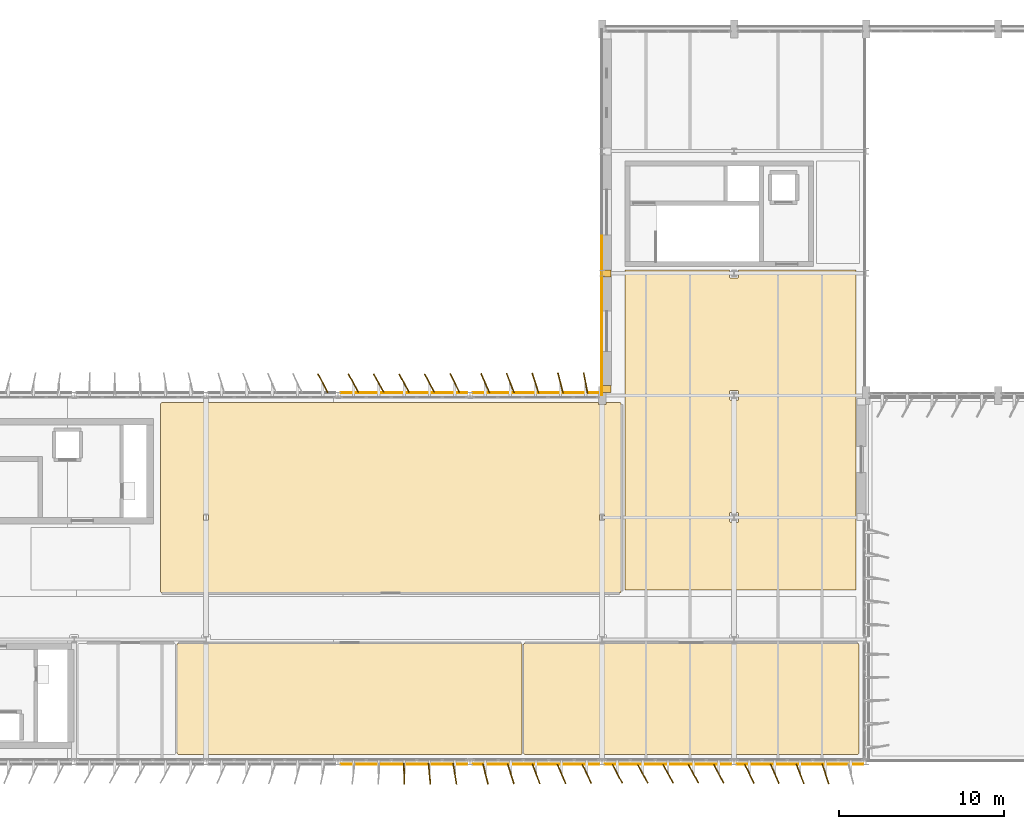
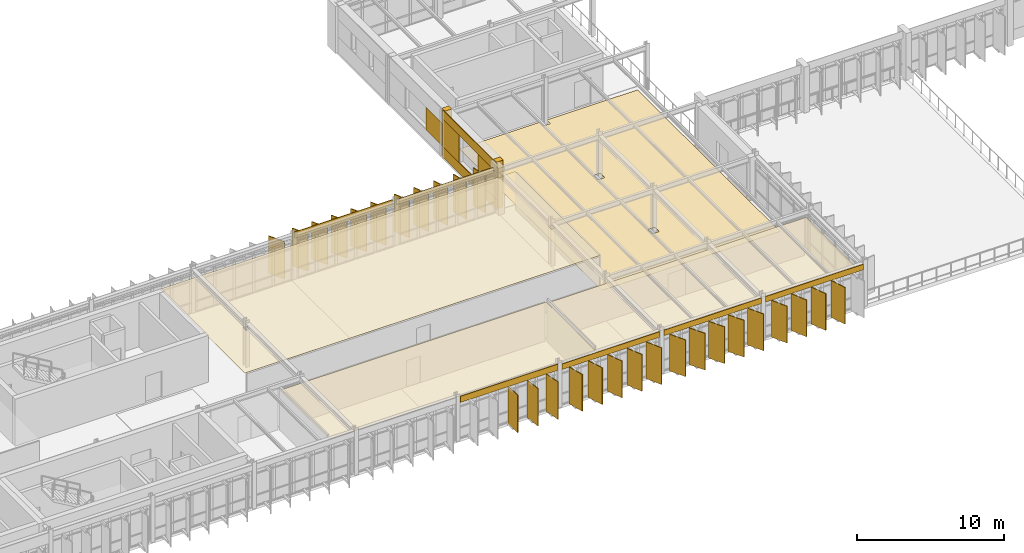
# One storey, part 43 of 45: 45 coverings.
"""IFC4 building model written with IfcOpenShell, lengths in metres."""

from ifc_helpers import new_model, si_unit, direction, frame, frame_2d, origin, origin_2d, place, context, subcontext, project, spatial, polyline, rectangle, outline, extrude, material, layer, layer_set, type_object, element, save


model = new_model("IFC4")

# Units and contexts
model_context = context("Model", 3, precision=1e-05, world=origin(), true_north=direction((0.0, 1.0)))
body_context = subcontext(model_context, "Body", "Model", "MODEL_VIEW")
ifc_project = project(units=[si_unit("LENGTHUNIT", "METRE"), si_unit("AREAUNIT", "SQUARE_METRE"), si_unit("VOLUMEUNIT", "CUBIC_METRE"), si_unit("PLANEANGLEUNIT", "RADIAN"), si_unit("MASSUNIT", "GRAM", prefix="KILO")], contexts=[model_context])

# Site, building, storey
site_placement = place(None, origin())
site = spatial("IfcSite", under=ifc_project, at=site_placement, CompositionType="ELEMENT")
building_placement = place(site_placement, origin())
building = spatial("IfcBuilding", under=site, at=building_placement, Name="Valkorina Park Police Headquarters", CompositionType="ELEMENT")
storey_placement = place(building_placement, frame((0.0, 0.0, 23.300048828125)))
storey = spatial("IfcBuildingStorey", under=building, at=storey_placement, Name="L06", CompositionType="ELEMENT", Elevation=23.300048828125)

# Coverings
ifc_material_1 = material(Name="Acoustic mineral board")
ifc_layer_1 = layer(ifc_material_1, 0.02490234375)
ifc_layer_set_1 = layer_set([ifc_layer_1], Name="Acoustic mineral board")
covering_type_1 = type_object("IfcCoveringType", Name="COV-CEILING-ACOUST", PredefinedType="CEILING", material=ifc_layer_set_1)
covering_1_placement = place(storey_placement, frame((0.0, 0.0, 3.204833984375)))
element("IfcCovering", 1, at=covering_1_placement, inside=storey, type_object=covering_type_1, Name="Narcotics Enforcement Division Acoustic Suspended Ceiling", PredefinedType="CEILING", context=body_context, shape_type="SweptSolid", body=[
    extrude(outline(polyline([(75.8955078125, 44.158447265625), (75.8876953125, 44.15966796875), (75.8798828125, 44.159912109375), (55.1201171875, 44.159912109375), (55.1123046875, 44.15966796875), (55.1044921875, 44.158447265625), (55.0966796875, 44.156494140625), (55.08935546875, 44.15380859375), (55.082275390625, 44.150634765625), (55.07568359375, 44.146484375), (55.069091796875, 44.141845703125), (55.0634765625, 44.13671875), (55.05810546875, 44.130859375), (55.053466796875, 44.12451171875), (55.04931640625, 44.11767578125), (55.046142578125, 44.110595703125), (55.04345703125, 44.103271484375), (55.04150390625, 44.095703125), (55.040283203125, 44.087890625), (55.0400390625, 44.080078125), (55.0400390625, 37.52001953125), (55.040283203125, 37.51220703125), (55.04150390625, 37.50439453125), (55.04345703125, 37.496826171875), (55.046142578125, 37.489501953125), (55.04931640625, 37.482421875), (55.053466796875, 37.4755859375), (55.05810546875, 37.46923828125), (55.0634765625, 37.46337890625), (55.069091796875, 37.458251953125), (55.07568359375, 37.45361328125), (55.082275390625, 37.449462890625), (55.08935546875, 37.446044921875), (55.0966796875, 37.443359375), (55.1044921875, 37.44140625), (55.1123046875, 37.4404296875), (55.1201171875, 37.43994140625), (75.8798828125, 37.43994140625), (75.8876953125, 37.4404296875), (75.8955078125, 37.44140625), (75.9033203125, 37.443359375), (75.91064453125, 37.446044921875), (75.917724609375, 37.449462890625), (75.92431640625, 37.45361328125), (75.930908203125, 37.458251953125), (75.9365234375, 37.46337890625), (75.94189453125, 37.46923828125), (75.946533203125, 37.4755859375), (75.95068359375, 37.482421875), (75.953857421875, 37.489501953125), (75.95654296875, 37.496826171875), (75.95849609375, 37.50439453125), (75.959716796875, 37.51220703125), (75.9599609375, 37.52001953125), (75.9599609375, 44.080078125), (75.959716796875, 44.087890625), (75.95849609375, 44.095703125), (75.95654296875, 44.103271484375), (75.953857421875, 44.110595703125), (75.95068359375, 44.11767578125), (75.946533203125, 44.12451171875), (75.94189453125, 44.130859375), (75.9365234375, 44.13671875), (75.930908203125, 44.141845703125), (75.92431640625, 44.146484375), (75.917724609375, 44.150634765625), (75.91064453125, 44.15380859375), (75.9033203125, 44.156494140625), (75.8955078125, 44.158447265625)])), origin(), (0.0, 0.0, 1.0), 0.025146484375),
])
covering_2_placement = place(storey_placement, frame((0.0, 0.0, 3.094970703125)))
element("IfcCovering", 2, at=covering_2_placement, inside=storey, type_object=covering_type_1, Name="Witness Interview and Recording Suite Acoustic Suspended Ceiling", PredefinedType="CEILING", context=body_context, shape_type="SweptSolid", body=[
    extrude(outline(polyline([(80.550537109375, 58.758544921875), (80.542724609375, 58.759521484375), (80.534912109375, 58.760009765625), (54.1201171875, 58.760009765625), (54.1123046875, 58.759521484375), (54.1044921875, 58.758544921875), (54.0966796875, 58.756591796875), (54.08935546875, 58.75390625), (54.082275390625, 58.75048828125), (54.07568359375, 58.74658203125), (54.069091796875, 58.74169921875), (54.0634765625, 58.736572265625), (54.05810546875, 58.730712890625), (54.053466796875, 58.724365234375), (54.04931640625, 58.7177734375), (54.046142578125, 58.710693359375), (54.04345703125, 58.703125), (54.04150390625, 58.695556640625), (54.040283203125, 58.687744140625), (54.0400390625, 58.679931640625), (54.0400390625, 47.320068359375), (54.040283203125, 47.312255859375), (54.04150390625, 47.304443359375), (54.04345703125, 47.296875), (54.046142578125, 47.289306640625), (54.04931640625, 47.2822265625), (54.053466796875, 47.275634765625), (54.05810546875, 47.269287109375), (54.0634765625, 47.263427734375), (54.069091796875, 47.25830078125), (54.07568359375, 47.25341796875), (54.082275390625, 47.24951171875), (54.08935546875, 47.24609375), (54.0966796875, 47.243408203125), (54.1044921875, 47.241455078125), (54.1123046875, 47.240478515625), (54.1201171875, 47.239990234375), (81.8798828125, 47.239990234375), (81.8876953125, 47.240478515625), (81.8955078125, 47.241455078125), (81.9033203125, 47.243408203125), (81.91064453125, 47.24609375), (81.917724609375, 47.24951171875), (81.92431640625, 47.25341796875), (81.930908203125, 47.25830078125), (81.9365234375, 47.263427734375), (81.94189453125, 47.269287109375), (81.946533203125, 47.275634765625), (81.95068359375, 47.2822265625), (81.953857421875, 47.289306640625), (81.95654296875, 47.296875), (81.95849609375, 47.304443359375), (81.959716796875, 47.312255859375), (81.9599609375, 47.320068359375), (81.9599609375, 58.679931640625), (81.959716796875, 58.687744140625), (81.95849609375, 58.695556640625), (81.95654296875, 58.703125), (81.953857421875, 58.710693359375), (81.95068359375, 58.7177734375), (81.946533203125, 58.724365234375), (81.94189453125, 58.730712890625), (81.9365234375, 58.736572265625), (81.930908203125, 58.74169921875), (81.92431640625, 58.74658203125), (81.917724609375, 58.75048828125), (81.91064453125, 58.75390625), (81.9033203125, 58.756591796875), (81.8955078125, 58.758544921875), (81.8876953125, 58.759521484375), (81.8798828125, 58.760009765625), (81.06494140625, 58.760009765625), (81.05712890625, 58.759521484375), (81.04931640625, 58.758544921875), (81.041748046875, 58.756591796875), (81.034423828125, 58.75390625), (81.02734375, 58.75048828125), (81.02490234375, 58.749267578125), (81.02490234375, 58.64990234375), (80.574951171875, 58.64990234375), (80.574951171875, 58.749267578125), (80.57275390625, 58.75048828125), (80.565673828125, 58.75390625), (80.55810546875, 58.756591796875), (80.550537109375, 58.758544921875)]), holes=[polyline([(80.64990234375, 51.97998046875), (80.949951171875, 51.97998046875), (80.949951171875, 51.6201171875), (80.64990234375, 51.6201171875), (80.64990234375, 51.97998046875)]), polyline([(56.64990234375, 51.97998046875), (56.949951171875, 51.97998046875), (56.949951171875, 51.6201171875), (56.64990234375, 51.6201171875), (56.64990234375, 51.97998046875)])]), origin(), (0.0, 0.0, 1.0), 0.02490234375),
])
covering_3_placement = place(storey_placement, frame((0.0, 0.0, 3.094970703125)))
element("IfcCovering", 3, at=covering_3_placement, inside=storey, type_object=covering_type_1, Name="Inter-Agency Liaison Lounge Acoustic Suspended Ceiling", PredefinedType="CEILING", context=body_context, shape_type="SweptSolid", body=[
    extrude(outline(polyline([(96.295654296875, 44.158447265625), (96.287841796875, 44.15966796875), (96.280029296875, 44.159912109375), (76.1201171875, 44.159912109375), (76.1123046875, 44.15966796875), (76.1044921875, 44.158447265625), (76.0966796875, 44.156494140625), (76.08935546875, 44.15380859375), (76.082275390625, 44.150634765625), (76.07568359375, 44.146484375), (76.069091796875, 44.141845703125), (76.0634765625, 44.13671875), (76.05810546875, 44.130859375), (76.053466796875, 44.12451171875), (76.04931640625, 44.11767578125), (76.046142578125, 44.110595703125), (76.04345703125, 44.103271484375), (76.04150390625, 44.095703125), (76.040283203125, 44.087890625), (76.0400390625, 44.080078125), (76.0400390625, 37.52001953125), (76.040283203125, 37.51220703125), (76.04150390625, 37.50439453125), (76.04345703125, 37.496826171875), (76.046142578125, 37.489501953125), (76.04931640625, 37.482421875), (76.053466796875, 37.4755859375), (76.05810546875, 37.46923828125), (76.0634765625, 37.46337890625), (76.069091796875, 37.458251953125), (76.07568359375, 37.45361328125), (76.082275390625, 37.449462890625), (76.08935546875, 37.446044921875), (76.0966796875, 37.443359375), (76.1044921875, 37.44140625), (76.1123046875, 37.4404296875), (76.1201171875, 37.43994140625), (96.280029296875, 37.43994140625), (96.287841796875, 37.4404296875), (96.295654296875, 37.44140625), (96.30322265625, 37.443359375), (96.310546875, 37.446044921875), (96.317626953125, 37.449462890625), (96.324462890625, 37.45361328125), (96.330810546875, 37.458251953125), (96.336669921875, 37.46337890625), (96.341796875, 37.46923828125), (96.346435546875, 37.4755859375), (96.3505859375, 37.482421875), (96.35400390625, 37.489501953125), (96.356689453125, 37.496826171875), (96.3583984375, 37.50439453125), (96.359619140625, 37.51220703125), (96.360107421875, 37.52001953125), (96.360107421875, 44.080078125), (96.359619140625, 44.087890625), (96.3583984375, 44.095703125), (96.356689453125, 44.103271484375), (96.35400390625, 44.110595703125), (96.3505859375, 44.11767578125), (96.346435546875, 44.12451171875), (96.341796875, 44.130859375), (96.336669921875, 44.13671875), (96.330810546875, 44.141845703125), (96.324462890625, 44.146484375), (96.317626953125, 44.150634765625), (96.310546875, 44.15380859375), (96.30322265625, 44.156494140625), (96.295654296875, 44.158447265625)])), origin(), (0.0, 0.0, 1.0), 0.02490234375),
])
ifc_material_2 = material(Name="Precast concrete C40/50", Category="concrete")
ifc_layer_2 = layer(ifc_material_2, 0.044921875)
ifc_layer_set_2 = layer_set([ifc_layer_2], Name="Precast concrete C40/50")
covering_type_2 = type_object("IfcCoveringType", Name="COV-CLAD-DOLOMITE", PredefinedType="CLADDING", material=ifc_layer_set_2)
covering_4_placement = place(storey_placement, frame((64.9599609375, 59.360107421875, 3.169921875), z_axis=(0.0, 0.0, 1.0), x_axis=(1.0, 0.0, 0.0)))
element("IfcCovering", 4, at=covering_4_placement, inside=storey, type_object=covering_type_2, Name="L06 Spandrel Beam Insulated Fascia 2485", PredefinedType="CLADDING", context=body_context, shape_type="SweptSolid", body=[
    extrude(rectangle(XDim=7.679931640625, YDim=0.044921875, at=frame_2d((3.83984375, 0.0))), origin(), (0.0, 0.0, 1.0), 0.510009765625),
])
covering_5_placement = place(storey_placement, frame((72.9599609375, 59.360107421875, 3.169921875), z_axis=(0.0, 0.0, 1.0), x_axis=(1.0, 0.0, 0.0)))
element("IfcCovering", 5, at=covering_5_placement, inside=storey, type_object=covering_type_2, Name="L06 Spandrel Beam Insulated Fascia 2486", PredefinedType="CLADDING", context=body_context, shape_type="SweptSolid", body=[
    extrude(rectangle(XDim=7.60498046875, YDim=0.044921875, at=frame_2d((3.802490234375, 0.0))), origin(), (0.0, 0.0, 1.0), 0.400146484375),
])
for number, where, z_axis, x_axis, name in (
    (6, (81.090087890625, 59.590087890625, 0.0), (0.0, 0.0, 1.0), (0.0, 1.0, 0.0), "L06 Exterior Joint Closure Pilaster A 2487"),
    (7, (81.090087890625, 66.580078125, 0.0), (0.0, 0.0, 1.0), (0.0, 1.0, 0.0), "L06 Exterior Joint Closure Pilaster B 2488"),
):
    element("IfcCovering", number, at=place(storey_placement, frame(where, z_axis=z_axis, x_axis=x_axis)), inside=storey, type_object=covering_type_2, Name=name, PredefinedType="CLADDING", context=body_context, shape_type="SweptSolid", body=[
        extrude(rectangle(XDim=0.419921875, YDim=0.52197265625, at=origin_2d()), origin(), (0.0, 0.0, 1.0), 3.89990234375),
    ])
covering_6_placement = place(storey_placement, frame((80.784912109375, 59.219970703125, 0.0), z_axis=(0.0, 0.0, 1.0), x_axis=(0.0, 1.0, 0.0)))
element("IfcCovering", 8, at=covering_6_placement, inside=storey, type_object=covering_type_2, Name="L06 Calm Concrete Base Sill Spandrel 2489", PredefinedType="CLADDING", context=body_context, shape_type="SweptSolid", body=[
    extrude(rectangle(XDim=7.360107421875, YDim=0.044921875, at=frame_2d((3.68017578125, 0.0))), origin(), (0.0, 0.0, 1.0), 0.869873046875),
])
covering_7_placement = place(storey_placement, frame((80.784912109375, 59.219970703125, 3.1298828125), z_axis=(0.0, 0.0, 1.0), x_axis=(0.0, 1.0, 0.0)))
element("IfcCovering", 9, at=covering_7_placement, inside=storey, type_object=covering_type_2, Name="L06 Calm Concrete Base Lintel Spandrel 2490", PredefinedType="CLADDING", context=body_context, shape_type="SweptSolid", body=[
    extrude(rectangle(XDim=7.360107421875, YDim=0.044921875, at=frame_2d((3.68017578125, 0.0))), origin(), (0.0, 0.0, 1.0), 0.77001953125),
])
covering_8_placement = place(storey_placement, frame((80.784912109375, 59.219970703125, 0.869873046875), z_axis=(0.0, 0.0, 1.0), x_axis=(0.0, 1.0, 0.0)))
element("IfcCovering", 10, at=covering_8_placement, inside=storey, type_object=covering_type_2, Name="L06 Calm Concrete Base Slot Pier 2491", PredefinedType="CLADDING", context=body_context, shape_type="SweptSolid", body=[
    extrude(rectangle(XDim=2.590087890625, YDim=0.044921875, at=frame_2d((1.294921875, 0.0))), origin(), (0.0, 0.0, 1.0), 2.260009765625),
])
covering_9_placement = place(storey_placement, frame((80.784912109375, 64.360107421875, 0.869873046875), z_axis=(0.0, 0.0, 1.0), x_axis=(0.0, 1.0, 0.0)))
element("IfcCovering", 11, at=covering_9_placement, inside=storey, type_object=covering_type_2, Name="L06 Calm Concrete Base Slot Pier 2492", PredefinedType="CLADDING", context=body_context, shape_type="SweptSolid", body=[
    extrude(rectangle(XDim=2.219970703125, YDim=0.044921875, at=frame_2d((1.10986328125, 0.0))), origin(), (0.0, 0.0, 1.0), 2.260009765625),
])
covering_10_placement = place(storey_placement, frame((80.784912109375, 66.6201171875, 0.869873046875), z_axis=(0.0, 0.0, 1.0), x_axis=(0.0, 1.0, 0.0)))
element("IfcCovering", 12, at=covering_10_placement, inside=storey, type_object=covering_type_2, Name="L06 Calm Concrete Base Slot Pier 2496", PredefinedType="CLADDING", context=body_context, shape_type="SweptSolid", body=[
    extrude(rectangle(XDim=2.2548828125, YDim=0.044921875, at=frame_2d((1.12744140625, 0.0))), origin(), (0.0, 0.0, 1.0), 1.860107421875),
])
for number, where, z_axis, x_axis, name in (
    (13, (96.639892578125, 36.840087890625, 3.10986328125), (0.0, 0.0, 1.0), (-1.0, 0.0, 0.0), "L06 Spandrel Beam Insulated Fascia 2540"),
    (14, (88.639892578125, 36.840087890625, 3.10986328125), (0.0, 0.0, 1.0), (-1.0, 0.0, 0.0), "L06 Spandrel Beam Insulated Fascia 2541"),
    (15, (80.639892578125, 36.840087890625, 3.10986328125), (0.0, 0.0, 1.0), (-1.0, 0.0, 0.0), "L06 Spandrel Beam Insulated Fascia 2542"),
):
    element("IfcCovering", number, at=place(storey_placement, frame(where, z_axis=z_axis, x_axis=x_axis)), inside=storey, type_object=covering_type_2, Name=name, PredefinedType="CLADDING", context=body_context, shape_type="SweptSolid", body=[
        extrude(rectangle(XDim=7.679931640625, YDim=0.044921875, at=frame_2d((3.83984375, 0.0))), origin(), (0.0, 0.0, 1.0), 0.460205078125),
    ])
covering_11_placement = place(storey_placement, frame((72.639892578125, 36.840087890625, 3.169921875), z_axis=(0.0, 0.0, 1.0), x_axis=(-1.0, 0.0, 0.0)))
element("IfcCovering", 16, at=covering_11_placement, inside=storey, type_object=covering_type_2, Name="L06 Spandrel Beam Insulated Fascia 2543", PredefinedType="CLADDING", context=body_context, shape_type="SweptSolid", body=[
    extrude(rectangle(XDim=7.679931640625, YDim=0.044921875, at=frame_2d((3.83984375, 0.0))), origin(), (0.0, 0.0, 1.0), 0.510009765625),
])
ifc_material_3 = material(Name="Resin terrazzo flooring")
ifc_layer_3 = layer(ifc_material_3, 0.030029296875)
ifc_layer_set_3 = layer_set([ifc_layer_3], Name="Resin terrazzo flooring")
covering_type_3 = type_object("IfcCoveringType", Name="COV-FLOOR-TERRAZZO", PredefinedType="FLOORING", material=ifc_layer_set_3)
covering_12_placement = place(storey_placement, origin())
element("IfcCovering", 17, at=covering_12_placement, inside=storey, type_object=covering_type_3, Name="Crisis Gallery Access Corridor Terrazzo Flooring", PredefinedType="FLOORING", context=body_context, shape_type="SweptSolid", body=[
    extrude(outline(polyline([(88.530029296875, 66.800048828125), (82.199951171875, 66.800048828125), (82.199951171875, 47.39990234375), (96.199951171875, 47.39990234375), (96.199951171875, 66.800048828125), (89.070068359375, 66.800048828125), (89.070068359375, 66.3798828125), (89.069580078125, 66.372314453125), (89.068603515625, 66.364501953125), (89.066650390625, 66.356689453125), (89.06396484375, 66.349365234375), (89.060546875, 66.34228515625), (89.056396484375, 66.335693359375), (89.0517578125, 66.3291015625), (89.046630859375, 66.323486328125), (89.040771484375, 66.318115234375), (89.034423828125, 66.3134765625), (89.027587890625, 66.309326171875), (89.0205078125, 66.30615234375), (89.01318359375, 66.303466796875), (89.005615234375, 66.301513671875), (88.997802734375, 66.30029296875), (88.989990234375, 66.300048828125), (88.610107421875, 66.300048828125), (88.602294921875, 66.30029296875), (88.594482421875, 66.301513671875), (88.5869140625, 66.303466796875), (88.579345703125, 66.30615234375), (88.572265625, 66.309326171875), (88.565673828125, 66.3134765625), (88.55908203125, 66.318115234375), (88.553466796875, 66.323486328125), (88.548095703125, 66.3291015625), (88.54345703125, 66.335693359375), (88.539306640625, 66.34228515625), (88.5361328125, 66.349365234375), (88.533447265625, 66.356689453125), (88.531494140625, 66.364501953125), (88.530517578125, 66.372314453125), (88.530029296875, 66.3798828125), (88.530029296875, 66.800048828125)]), holes=[polyline([(88.530029296875, 52.02001953125), (88.530517578125, 52.02783203125), (88.531494140625, 52.03564453125), (88.533447265625, 52.043212890625), (88.5361328125, 52.050537109375), (88.539306640625, 52.0576171875), (88.54345703125, 52.064453125), (88.548095703125, 52.07080078125), (88.553466796875, 52.07666015625), (88.55908203125, 52.081787109375), (88.565673828125, 52.08642578125), (88.572265625, 52.090576171875), (88.579345703125, 52.093994140625), (88.5869140625, 52.0966796875), (88.594482421875, 52.098388671875), (88.602294921875, 52.099609375), (88.610107421875, 52.10009765625), (88.989990234375, 52.10009765625), (88.997802734375, 52.099609375), (89.005615234375, 52.098388671875), (89.01318359375, 52.0966796875), (89.0205078125, 52.093994140625), (89.027587890625, 52.090576171875), (89.034423828125, 52.08642578125), (89.040771484375, 52.081787109375), (89.046630859375, 52.07666015625), (89.0517578125, 52.07080078125), (89.056396484375, 52.064453125), (89.060546875, 52.0576171875), (89.06396484375, 52.050537109375), (89.066650390625, 52.043212890625), (89.068603515625, 52.03564453125), (89.069580078125, 52.02783203125), (89.070068359375, 52.02001953125), (89.070068359375, 51.580078125), (89.069580078125, 51.572265625), (89.068603515625, 51.564453125), (89.066650390625, 51.556884765625), (89.06396484375, 51.54931640625), (89.060546875, 51.542236328125), (89.056396484375, 51.53564453125), (89.0517578125, 51.529296875), (89.046630859375, 51.5234375), (89.040771484375, 51.518310546875), (89.034423828125, 51.513427734375), (89.027587890625, 51.509521484375), (89.0205078125, 51.506103515625), (89.01318359375, 51.50341796875), (89.005615234375, 51.50146484375), (88.997802734375, 51.50048828125), (88.989990234375, 51.5), (88.610107421875, 51.5), (88.602294921875, 51.50048828125), (88.594482421875, 51.50146484375), (88.5869140625, 51.50341796875), (88.579345703125, 51.506103515625), (88.572265625, 51.509521484375), (88.565673828125, 51.513427734375), (88.55908203125, 51.518310546875), (88.553466796875, 51.5234375), (88.548095703125, 51.529296875), (88.54345703125, 51.53564453125), (88.539306640625, 51.542236328125), (88.5361328125, 51.54931640625), (88.533447265625, 51.556884765625), (88.531494140625, 51.564453125), (88.530517578125, 51.572265625), (88.530029296875, 51.580078125), (88.530029296875, 52.02001953125)]), polyline([(88.530029296875, 59.419921875), (88.530517578125, 59.427734375), (88.531494140625, 59.435546875), (88.533447265625, 59.443115234375), (88.5361328125, 59.45068359375), (88.539306640625, 59.457763671875), (88.54345703125, 59.46435546875), (88.548095703125, 59.470703125), (88.553466796875, 59.4765625), (88.55908203125, 59.481689453125), (88.565673828125, 59.486572265625), (88.572265625, 59.490478515625), (88.579345703125, 59.493896484375), (88.5869140625, 59.49658203125), (88.594482421875, 59.49853515625), (88.602294921875, 59.49951171875), (88.610107421875, 59.5), (88.989990234375, 59.5), (88.997802734375, 59.49951171875), (89.005615234375, 59.49853515625), (89.01318359375, 59.49658203125), (89.0205078125, 59.493896484375), (89.027587890625, 59.490478515625), (89.034423828125, 59.486572265625), (89.040771484375, 59.481689453125), (89.046630859375, 59.4765625), (89.0517578125, 59.470703125), (89.056396484375, 59.46435546875), (89.060546875, 59.457763671875), (89.06396484375, 59.45068359375), (89.066650390625, 59.443115234375), (89.068603515625, 59.435546875), (89.069580078125, 59.427734375), (89.070068359375, 59.419921875), (89.070068359375, 58.97998046875), (89.069580078125, 58.97216796875), (89.068603515625, 58.96435546875), (89.066650390625, 58.956787109375), (89.06396484375, 58.949462890625), (89.060546875, 58.9423828125), (89.056396484375, 58.935546875), (89.0517578125, 58.92919921875), (89.046630859375, 58.92333984375), (89.040771484375, 58.918212890625), (89.034423828125, 58.91357421875), (89.027587890625, 58.909423828125), (89.0205078125, 58.906005859375), (89.01318359375, 58.9033203125), (89.005615234375, 58.901611328125), (88.997802734375, 58.900390625), (88.989990234375, 58.89990234375), (88.610107421875, 58.89990234375), (88.602294921875, 58.900390625), (88.594482421875, 58.901611328125), (88.5869140625, 58.9033203125), (88.579345703125, 58.906005859375), (88.572265625, 58.909423828125), (88.565673828125, 58.91357421875), (88.55908203125, 58.918212890625), (88.553466796875, 58.92333984375), (88.548095703125, 58.92919921875), (88.54345703125, 58.935546875), (88.539306640625, 58.9423828125), (88.5361328125, 58.949462890625), (88.533447265625, 58.956787109375), (88.531494140625, 58.96435546875), (88.530517578125, 58.97216796875), (88.530029296875, 58.97998046875), (88.530029296875, 59.419921875)])]), origin(), (0.0, 0.0, 1.0), 0.030029296875),
])
ifc_material_4 = material(Name="Polychrome anodized aluminium - Baltic Amber", Category="aluminium")
ifc_layer_4 = layer(ifc_material_4, 0.06494140625)
ifc_layer_set_4 = layer_set([ifc_layer_4], Name="Polychrome anodized aluminium - Baltic Amber")
covering_type_4 = type_object("IfcCoveringType", Name="SHD-LOUVRE-AMBER", PredefinedType="CLADDING", material=ifc_layer_set_4)
for number, where, z_axis, x_axis, name in (
    (18, (65.72802734375, 59.93994140625, 0.0400390625), (0.0, 0.0, 1.0), (-0.479611016922, 0.87748120917, 0.0), "V5 Polychrome Pivoting Louvre 0366"),
    (19, (71.8720703125, 59.93994140625, 0.0400390625), (0.0, 0.0, 1.0), (-0.443853354011, 0.896099436521, 0.0), "V5 Polychrome Pivoting Louvre 0370"),
    (20, (78.283447265625, 59.93994140625, 0.0400390625), (0.0, 0.0, 1.0), (-0.25358912065, 0.96731202716, 0.0), "V5 Polychrome Pivoting Louvre 0374"),
):
    element("IfcCovering", number, at=place(storey_placement, frame(where, z_axis=z_axis, x_axis=x_axis)), inside=storey, type_object=covering_type_4, Name=name, PredefinedType="CLADDING", context=body_context, shape_type="SweptSolid", body=[
        extrude(rectangle(XDim=1.280029296875, YDim=0.06494140625, at=origin_2d()), origin(), (0.0, 0.0, 1.0), 3.110107421875),
    ])
for number, where, z_axis, x_axis, name in (
    (21, (91.263916015625, 36.260009765625, 0.0400390625), (0.0, 0.0, 1.0), (0.403545296352, -0.91495966785, 0.0), "V5 Polychrome Pivoting Louvre 0404"),
    (22, (84.800048828125, 36.260009765625, 0.0400390625), (0.0, 0.0, 1.0), (0.484809620246, -0.874619707139, 0.0), "V5 Polychrome Pivoting Louvre 0408"),
    (23, (78.3359375, 36.260009765625, 0.0400390625), (0.0, 0.0, 1.0), (0.400349032557, -0.916362729562, 0.0), "V5 Polychrome Pivoting Louvre 0412"),
):
    element("IfcCovering", number, at=place(storey_placement, frame(where, z_axis=z_axis, x_axis=x_axis)), inside=storey, type_object=covering_type_4, Name=name, PredefinedType="CLADDING", context=body_context, shape_type="SweptSolid", body=[
        extrude(rectangle(XDim=1.280029296875, YDim=0.06494140625, at=origin_2d()), origin(), (0.0, 0.0, 1.0), 3.050048828125),
    ])
covering_13_placement = place(storey_placement, frame((71.8720703125, 36.260009765625, 0.0400390625), z_axis=(0.0, 0.0, 1.0), x_axis=(0.166252457562, -0.98608322182, 0.0)))
element("IfcCovering", 24, at=covering_13_placement, inside=storey, type_object=covering_type_4, Name="V5 Polychrome Pivoting Louvre 0416", PredefinedType="CLADDING", context=body_context, shape_type="SweptSolid", body=[
    extrude(rectangle(XDim=1.280029296875, YDim=0.06494140625, at=origin_2d()), origin(), (0.0, 0.0, 1.0), 3.110107421875),
])
ifc_material_5 = material(Name="Polychrome anodized aluminium - Riga Ochre", Category="aluminium")
ifc_layer_5 = layer(ifc_material_5, 0.06494140625)
ifc_layer_set_5 = layer_set([ifc_layer_5], Name="Polychrome anodized aluminium - Riga Ochre")
covering_type_5 = type_object("IfcCoveringType", Name="SHD-LOUVRE-OCHRE", PredefinedType="CLADDING", material=ifc_layer_set_5)
for number, where, z_axis, x_axis, name in (
    (25, (68.800048828125, 59.93994140625, 0.0400390625), (0.0, 0.0, 1.0), (-0.480529649952, 0.876978480647, 0.0), "V5 Polychrome Pivoting Louvre 0368"),
    (26, (75.241455078125, 59.93994140625, 0.0400390625), (0.0, 0.0, 1.0), (-0.361624570082, 0.932323801216, 0.0), "V5 Polychrome Pivoting Louvre 0372"),
):
    element("IfcCovering", number, at=place(storey_placement, frame(where, z_axis=z_axis, x_axis=x_axis)), inside=storey, type_object=covering_type_5, Name=name, PredefinedType="CLADDING", context=body_context, shape_type="SweptSolid", body=[
        extrude(rectangle(XDim=1.280029296875, YDim=0.06494140625, at=origin_2d()), origin(), (0.0, 0.0, 1.0), 3.110107421875),
    ])
for number, where, z_axis, x_axis, name in (
    (27, (94.3359375, 36.260009765625, 0.0400390625), (0.0, 0.0, 1.0), (0.30951492402, -0.950894585014, 0.0), "V5 Polychrome Pivoting Louvre 0402"),
    (28, (87.8720703125, 36.260009765625, 0.0400390625), (0.0, 0.0, 1.0), (0.46669538893, -0.884418121677, 0.0), "V5 Polychrome Pivoting Louvre 0406"),
    (29, (81.72802734375, 36.260009765625, 0.0400390625), (0.0, 0.0, 1.0), (0.465151078077, -0.885231311332, 0.0), "V5 Polychrome Pivoting Louvre 0410"),
    (30, (75.263916015625, 36.260009765625, 0.0400390625), (0.0, 0.0, 1.0), (0.304864299028, -0.952395799643, 0.0), "V5 Polychrome Pivoting Louvre 0414"),
):
    element("IfcCovering", number, at=place(storey_placement, frame(where, z_axis=z_axis, x_axis=x_axis)), inside=storey, type_object=covering_type_5, Name=name, PredefinedType="CLADDING", context=body_context, shape_type="SweptSolid", body=[
        extrude(rectangle(XDim=1.280029296875, YDim=0.06494140625, at=origin_2d()), origin(), (0.0, 0.0, 1.0), 3.050048828125),
    ])
covering_14_placement = place(storey_placement, frame((68.800048828125, 36.260009765625, 0.0400390625), z_axis=(0.0, 0.0, 1.0), x_axis=(0.022512845226, -0.999746553782, 0.0)))
element("IfcCovering", 31, at=covering_14_placement, inside=storey, type_object=covering_type_5, Name="V5 Polychrome Pivoting Louvre 0418", PredefinedType="CLADDING", context=body_context, shape_type="SweptSolid", body=[
    extrude(rectangle(XDim=1.280029296875, YDim=0.06494140625, at=origin_2d()), origin(), (0.0, 0.0, 1.0), 3.110107421875),
])
ifc_material_6 = material(Name="Polychrome anodized aluminium - Courland Slate Blue", Category="masonry")
ifc_layer_6 = layer(ifc_material_6, 0.06494140625)
ifc_layer_set_6 = layer_set([ifc_layer_6], Name="Polychrome anodized aluminium - Courland Slate Blue")
covering_type_6 = type_object("IfcCoveringType", Name="SHD-LOUVRE-SLATE", PredefinedType="CLADDING", material=ifc_layer_set_6)
for number, where, z_axis, x_axis, name in (
    (32, (63.8720703125, 59.93994140625, 0.0400390625), (0.0, 0.0, 1.0), (-0.46081948465, 0.887493888749, 0.0), "V5 Polychrome Pivoting Louvre 0365"),
    (33, (70.3359375, 59.93994140625, 0.0400390625), (0.0, 0.0, 1.0), (-0.466849741903, 0.884336654496, 0.0), "V5 Polychrome Pivoting Louvre 0369"),
    (34, (76.762451171875, 59.93994140625, 0.0400390625), (0.0, 0.0, 1.0), (-0.311174075894, 0.950352931542, 0.0), "V5 Polychrome Pivoting Louvre 0373"),
):
    element("IfcCovering", number, at=place(storey_placement, frame(where, z_axis=z_axis, x_axis=x_axis)), inside=storey, type_object=covering_type_6, Name=name, PredefinedType="CLADDING", context=body_context, shape_type="SweptSolid", body=[
        extrude(rectangle(XDim=1.280029296875, YDim=0.06494140625, at=origin_2d()), origin(), (0.0, 0.0, 1.0), 3.110107421875),
    ])
for number, where, z_axis, x_axis, name in (
    (35, (92.800048828125, 36.260009765625, 0.0400390625), (0.0, 0.0, 1.0), (0.360648044776, -0.932701982307, 0.0), "V5 Polychrome Pivoting Louvre 0403"),
    (36, (86.3359375, 36.260009765625, 0.0400390625), (0.0, 0.0, 1.0), (0.480529649952, -0.876978480647, 0.0), "V5 Polychrome Pivoting Louvre 0407"),
    (37, (79.8720703125, 36.260009765625, 0.0400390625), (0.0, 0.0, 1.0), (0.435231099372, -0.900318771402, 0.0), "V5 Polychrome Pivoting Louvre 0411"),
    (38, (73.72802734375, 36.260009765625, 0.0400390625), (0.0, 0.0, 1.0), (0.245814952628, -0.969316774365, 0.0), "V5 Polychrome Pivoting Louvre 0415"),
):
    element("IfcCovering", number, at=place(storey_placement, frame(where, z_axis=z_axis, x_axis=x_axis)), inside=storey, type_object=covering_type_6, Name=name, PredefinedType="CLADDING", context=body_context, shape_type="SweptSolid", body=[
        extrude(rectangle(XDim=1.280029296875, YDim=0.06494140625, at=origin_2d()), origin(), (0.0, 0.0, 1.0), 3.050048828125),
    ])
ifc_material_7 = material(Name="Polychrome anodized aluminium - Pine Verdigris", Category="aluminium")
ifc_layer_7 = layer(ifc_material_7, 0.06494140625)
ifc_layer_set_7 = layer_set([ifc_layer_7], Name="Polychrome anodized aluminium - Pine Verdigris")
covering_type_7 = type_object("IfcCoveringType", Name="SHD-LOUVRE-VERDIGRIS", PredefinedType="CLADDING", material=ifc_layer_set_7)
for number, where, z_axis, x_axis, name in (
    (39, (67.263916015625, 59.93994140625, 0.0400390625), (0.0, 0.0, 1.0), (-0.484809620246, 0.874619707139, 0.0), "V5 Polychrome Pivoting Louvre 0367"),
    (40, (73.720458984375, 59.93994140625, 0.0400390625), (0.0, 0.0, 1.0), (-0.404024312775, 0.914748246616, 0.0), "V5 Polychrome Pivoting Louvre 0371"),
    (41, (79.804443359375, 59.93994140625, 0.0400390625), (0.0, 0.0, 1.0), (-0.189609569425, 0.981859567954, 0.0), "V5 Polychrome Pivoting Louvre 0375"),
):
    element("IfcCovering", number, at=place(storey_placement, frame(where, z_axis=z_axis, x_axis=x_axis)), inside=storey, type_object=covering_type_7, Name=name, PredefinedType="CLADDING", context=body_context, shape_type="SweptSolid", body=[
        extrude(rectangle(XDim=1.280029296875, YDim=0.06494140625, at=origin_2d()), origin(), (0.0, 0.0, 1.0), 3.110107421875),
    ])
for number, where, z_axis, x_axis, name in (
    (42, (89.72802734375, 36.260009765625, 0.0400390625), (0.0, 0.0, 1.0), (0.437743563395, -0.899099868038, 0.0), "V5 Polychrome Pivoting Louvre 0405"),
    (43, (83.263916015625, 36.260009765625, 0.0400390625), (0.0, 0.0, 1.0), (0.479764158979, -0.877397487892, 0.0), "V5 Polychrome Pivoting Louvre 0409"),
    (44, (76.800048828125, 36.260009765625, 0.0400390625), (0.0, 0.0, 1.0), (0.35673799932, -0.934204474321, 0.0), "V5 Polychrome Pivoting Louvre 0413"),
):
    element("IfcCovering", number, at=place(storey_placement, frame(where, z_axis=z_axis, x_axis=x_axis)), inside=storey, type_object=covering_type_7, Name=name, PredefinedType="CLADDING", context=body_context, shape_type="SweptSolid", body=[
        extrude(rectangle(XDim=1.280029296875, YDim=0.06494140625, at=origin_2d()), origin(), (0.0, 0.0, 1.0), 3.050048828125),
    ])
covering_15_placement = place(storey_placement, frame((70.3359375, 36.260009765625, 0.0400390625), z_axis=(0.0, 0.0, 1.0), x_axis=(0.095672021651, -0.995412911446, 0.0)))
element("IfcCovering", 45, at=covering_15_placement, inside=storey, type_object=covering_type_7, Name="V5 Polychrome Pivoting Louvre 0417", PredefinedType="CLADDING", context=body_context, shape_type="SweptSolid", body=[
    extrude(rectangle(XDim=1.280029296875, YDim=0.06494140625, at=origin_2d()), origin(), (0.0, 0.0, 1.0), 3.110107421875),
])

save(model, "model.ifc")
